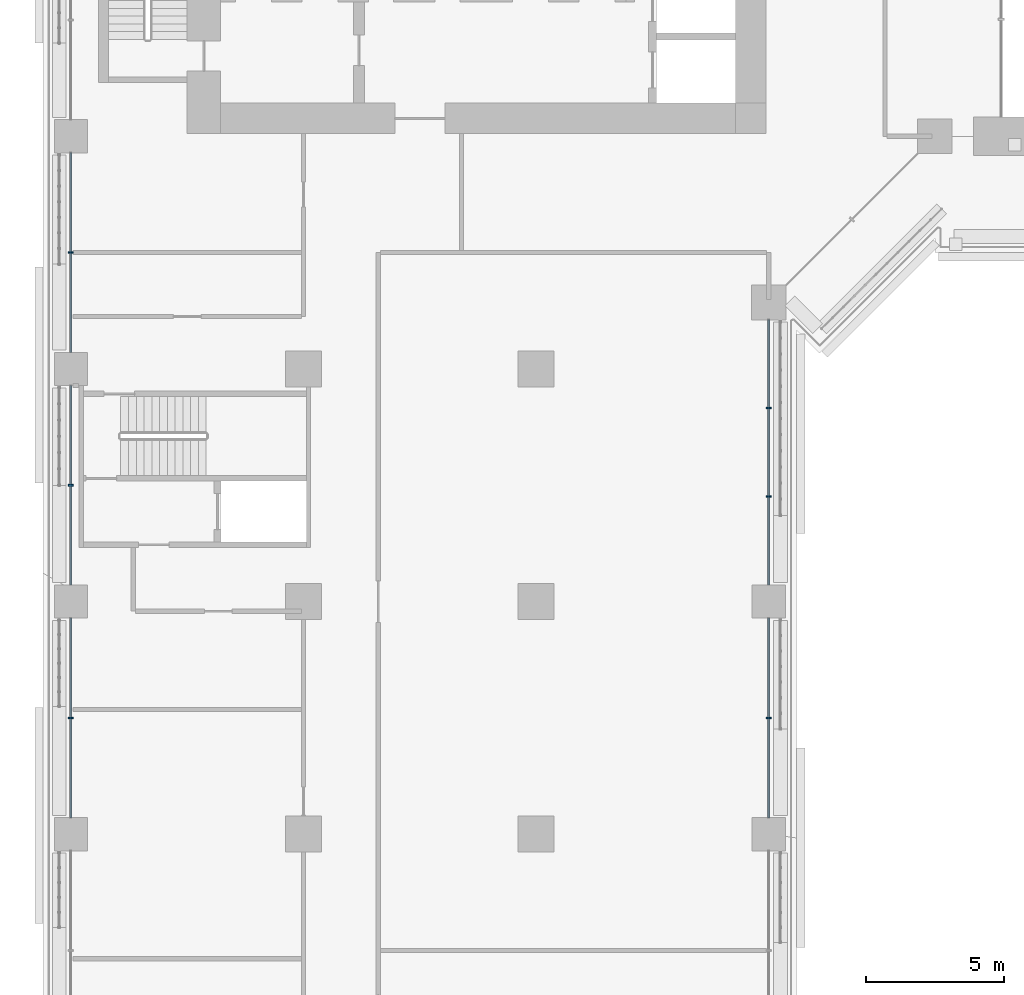
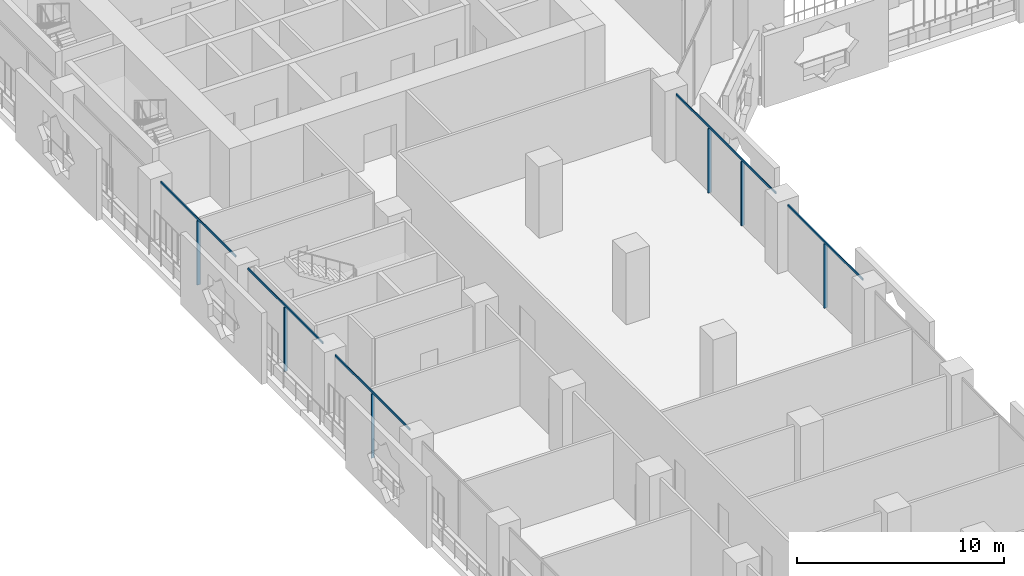
# One storey, part 3 of 27: 11 members, 2 elements without a shape of their own.
"""IFC4 building model written with IfcOpenShell, lengths in metres."""

from ifc_helpers import new_model, si_unit, direction, frame, origin, origin_2d, place, context, subcontext, project, spatial, rectangle, extrude, material, layer, layer_set, material_profile, profile_set, type_object, element, aggregate, save


model = new_model("IFC4")

# Units and contexts
model_context = context("Model", 3, precision=1e-05, world=origin(), true_north=direction((0.0, 1.0)))
body_context = subcontext(model_context, "Body", "Model", "MODEL_VIEW")
ifc_project = project(units=[si_unit("LENGTHUNIT", "METRE"), si_unit("AREAUNIT", "SQUARE_METRE"), si_unit("VOLUMEUNIT", "CUBIC_METRE"), si_unit("PLANEANGLEUNIT", "RADIAN"), si_unit("MASSUNIT", "GRAM", prefix="KILO")], contexts=[model_context])

# Site, building, storey
site_placement = place(None, origin())
site = spatial("IfcSite", under=ifc_project, at=site_placement, CompositionType="ELEMENT")
building_placement = place(site_placement, origin())
building = spatial("IfcBuilding", under=site, at=building_placement, Name="Kawkab Arch Medical Tower", CompositionType="ELEMENT")
storey_placement = place(building_placement, frame((0.0, 0.0, 43.39990234375)))
storey = spatial("IfcBuildingStorey", under=building, at=storey_placement, Name="L09", CompositionType="ELEMENT", Elevation=43.39990234375)

# Curtain wall, members
ifc_material_1 = material(Name="Bronze anodised aluminium curtain wall frame", Category="aluminium")
ifc_layer = layer(ifc_material_1, 0.159912109375)
ifc_layer_set = layer_set([ifc_layer], Name="Bronze anodised aluminium curtain wall frame")
curtain_wall_type = type_object("IfcCurtainWallType", Name="CW1 ward curtain wall", PredefinedType="NOTDEFINED", material=ifc_layer_set)
placement = place(storey_placement, origin())
curtain_wall_1 = element("IfcCurtainWall", 1, at=placement, inside=storey, type_object=curtain_wall_type, Name="CW1 Ward curtain wall R11", PredefinedType="NOTDEFINED")
ifc_material_2 = material(Name="Bronze anodised aluminium curtain wall frame", Category="aluminium")
ifc_material_profile_1 = material_profile(ifc_material_2, rectangle(XDim=0.179931640625, YDim=0.06005859375, at=origin_2d()), Name="AL 60x180")
ifc_profile_set_1 = profile_set([ifc_material_profile_1], Name="Bronze anodised aluminium curtain wall frame")
member_type_1 = type_object("IfcMemberType", Name="CW1 mullion 60 x 180", PredefinedType="MULLION", material=ifc_profile_set_1)
member_1_placement = place(storey_placement, frame((0.0, -29.39990234375, 0.0), z_axis=(0.0, 0.0, 1.0), x_axis=(1.0, 0.0, 0.0)))
member_1 = element("IfcMember", 2, at=member_1_placement, type_object=member_type_1, Name="CW1 mullion 3.1", PredefinedType="MULLION", context=body_context, shape_type="SweptSolid", body=[
    extrude(rectangle(XDim=0.179931640625, YDim=0.06005859375, at=origin_2d()), origin(), (0.0, 0.0, 1.0), 3.780029296875),
])
member_2_placement = place(storey_placement, frame((0.0, -37.800048828125, 0.0), z_axis=(0.0, 0.0, 1.0), x_axis=(1.0, 0.0, 0.0)))
member_2 = element("IfcMember", 3, at=member_2_placement, type_object=member_type_1, Name="CW1 mullion 4.1", PredefinedType="MULLION", context=body_context, shape_type="SweptSolid", body=[
    extrude(rectangle(XDim=0.179931640625, YDim=0.06005859375, at=origin_2d()), origin(), (0.0, 0.0, 1.0), 3.780029296875),
])
member_3_placement = place(storey_placement, frame((0.0, -46.199951171875, 0.0), z_axis=(0.0, 0.0, 1.0), x_axis=(1.0, 0.0, 0.0)))
member_3 = element("IfcMember", 4, at=member_3_placement, type_object=member_type_1, Name="CW1 mullion 5.1", PredefinedType="MULLION", context=body_context, shape_type="SweptSolid", body=[
    extrude(rectangle(XDim=0.179931640625, YDim=0.06005859375, at=origin_2d()), origin(), (0.0, 0.0, 1.0), 3.780029296875),
])

curtain_wall_2 = element("IfcCurtainWall", 5, at=placement, inside=storey, type_object=curtain_wall_type, Name="CW1 Ward curtain wall R15", PredefinedType="NOTDEFINED")
member_4_placement = place(storey_placement, frame((25.199951171875, -46.199951171875, 0.0), z_axis=(0.0, 0.0, 1.0), x_axis=(-1.0, 0.0, 0.0)))
member_4 = element("IfcMember", 6, at=member_4_placement, type_object=member_type_1, Name="CW1 mullion 3.1", PredefinedType="MULLION", context=body_context, shape_type="SweptSolid", body=[
    extrude(rectangle(XDim=0.179931640625, YDim=0.06005859375, at=origin_2d()), origin(), (0.0, 0.0, 1.0), 3.780029296875),
])
member_5_placement = place(storey_placement, frame((25.199951171875, -38.208251953125, 0.0), z_axis=(0.0, 0.0, 1.0), x_axis=(-1.0, 0.0, 0.0)))
member_5 = element("IfcMember", 7, at=member_5_placement, type_object=member_type_1, Name="CW1 mullion 4.1", PredefinedType="MULLION", context=body_context, shape_type="SweptSolid", body=[
    extrude(rectangle(XDim=0.179931640625, YDim=0.06005859375, at=origin_2d()), origin(), (0.0, 0.0, 1.0), 3.780029296875),
])
member_6_placement = place(storey_placement, frame((25.199951171875, -35.0166015625, 0.0), z_axis=(0.0, 0.0, 1.0), x_axis=(-1.0, 0.0, 0.0)))
member_6 = element("IfcMember", 8, at=member_6_placement, type_object=member_type_1, Name="CW1 mullion 4.2", PredefinedType="MULLION", context=body_context, shape_type="SweptSolid", body=[
    extrude(rectangle(XDim=0.179931640625, YDim=0.06005859375, at=origin_2d()), origin(), (0.0, 0.0, 1.0), 3.780029296875),
])

# Member
ifc_material_3 = material(Name="Bronze anodised aluminium curtain wall frame", Category="aluminium")
ifc_material_profile_2 = material_profile(ifc_material_3, rectangle(XDim=0.06005859375, YDim=0.1201171875, at=origin_2d()), Name="AL 60x120")
ifc_profile_set_2 = profile_set([ifc_material_profile_2], Name="Bronze anodised aluminium curtain wall frame")
member_type_2 = type_object("IfcMemberType", Name="CW1 transom 120 x 60", PredefinedType="USERDEFINED", material=ifc_profile_set_2)
member_7_placement = place(storey_placement, frame((0.0, -25.800048828125, 3.840087890625), z_axis=(0.0, -1.0, 0.0), x_axis=(1.0, 0.0, 0.0)))
member_7 = element("IfcMember", 9, at=member_7_placement, type_object=member_type_2, Name="CW1 transom 3", ObjectType="TRANSOM", PredefinedType="USERDEFINED", context=body_context, shape_type="SweptSolid", body=[
    extrude(rectangle(XDim=0.06005859375, YDim=0.1201171875, at=origin_2d()), origin(), (0.0, 0.0, 1.0), 7.199951171875),
])

member_8_placement = place(storey_placement, frame((0.0, -34.199951171875, 3.840087890625), z_axis=(0.0, -1.0, 0.0), x_axis=(1.0, 0.0, 0.0)))
member_8 = element("IfcMember", 10, at=member_8_placement, type_object=member_type_2, Name="CW1 transom 4", ObjectType="TRANSOM", PredefinedType="USERDEFINED", context=body_context, shape_type="SweptSolid", body=[
    extrude(rectangle(XDim=0.06005859375, YDim=0.1201171875, at=origin_2d()), origin(), (0.0, 0.0, 1.0), 7.199951171875),
])

member_9_placement = place(storey_placement, frame((0.0, -42.60009765625, 3.840087890625), z_axis=(0.0, -1.0, 0.0), x_axis=(1.0, 0.0, 0.0)))
member_9 = element("IfcMember", 11, at=member_9_placement, type_object=member_type_2, Name="CW1 transom 5", ObjectType="TRANSOM", PredefinedType="USERDEFINED", context=body_context, shape_type="SweptSolid", body=[
    extrude(rectangle(XDim=0.06005859375, YDim=0.1201171875, at=origin_2d()), origin(), (0.0, 0.0, 1.0), 7.199951171875),
])

aggregate(curtain_wall_1, [member_7, member_1, member_8, member_2, member_9, member_3])

member_10_placement = place(storey_placement, frame((25.199951171875, -49.800048828125, 3.840087890625), z_axis=(0.0, 1.0, 0.0), x_axis=(-1.0, 0.0, 0.0)))
member_10 = element("IfcMember", 12, at=member_10_placement, type_object=member_type_2, Name="CW1 transom 3", ObjectType="TRANSOM", PredefinedType="USERDEFINED", context=body_context, shape_type="SweptSolid", body=[
    extrude(rectangle(XDim=0.06005859375, YDim=0.1201171875, at=origin_2d()), origin(), (0.0, 0.0, 1.0), 7.199951171875),
])

member_11_placement = place(storey_placement, frame((25.199951171875, -41.39990234375, 3.840087890625), z_axis=(0.0, 1.0, 0.0), x_axis=(-1.0, 0.0, 0.0)))
member_11 = element("IfcMember", 13, at=member_11_placement, type_object=member_type_2, Name="CW1 transom 4", ObjectType="TRANSOM", PredefinedType="USERDEFINED", context=body_context, shape_type="SweptSolid", body=[
    extrude(rectangle(XDim=0.06005859375, YDim=0.1201171875, at=origin_2d()), origin(), (0.0, 0.0, 1.0), 9.574951171875),
])

aggregate(curtain_wall_2, [member_10, member_4, member_11, member_5, member_6])

save(model, "model.ifc")
